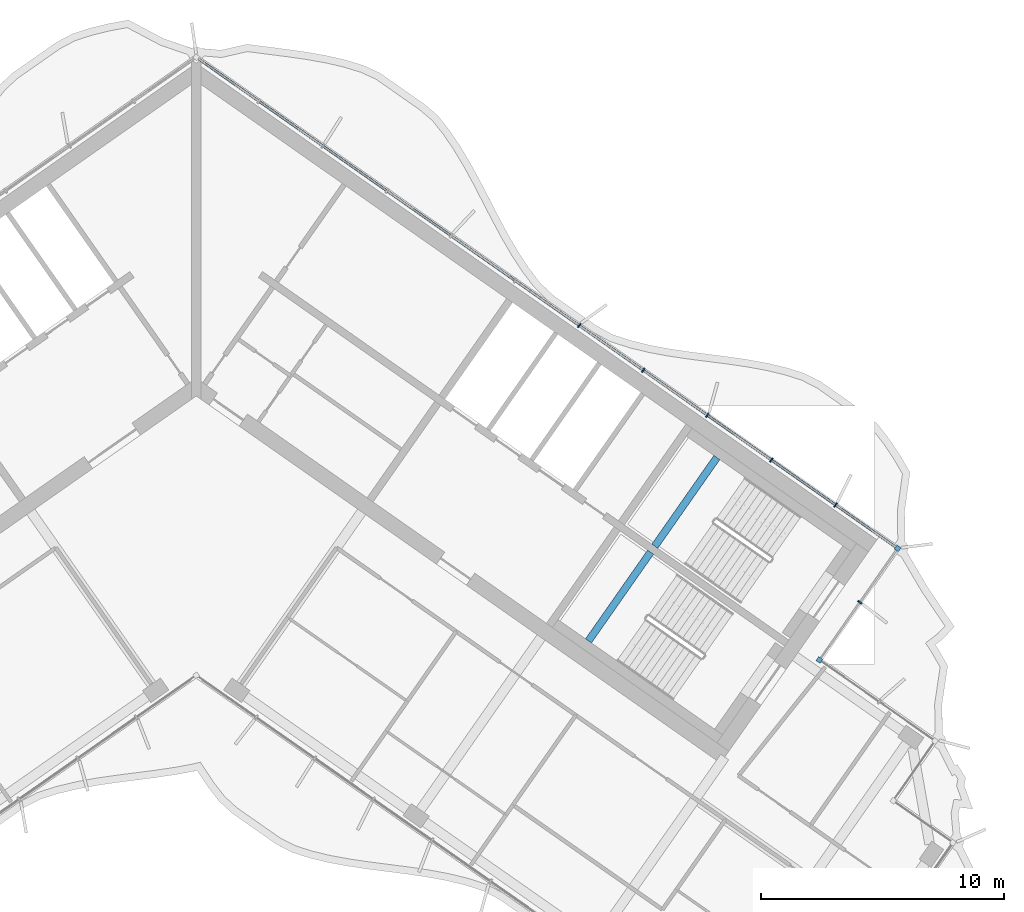
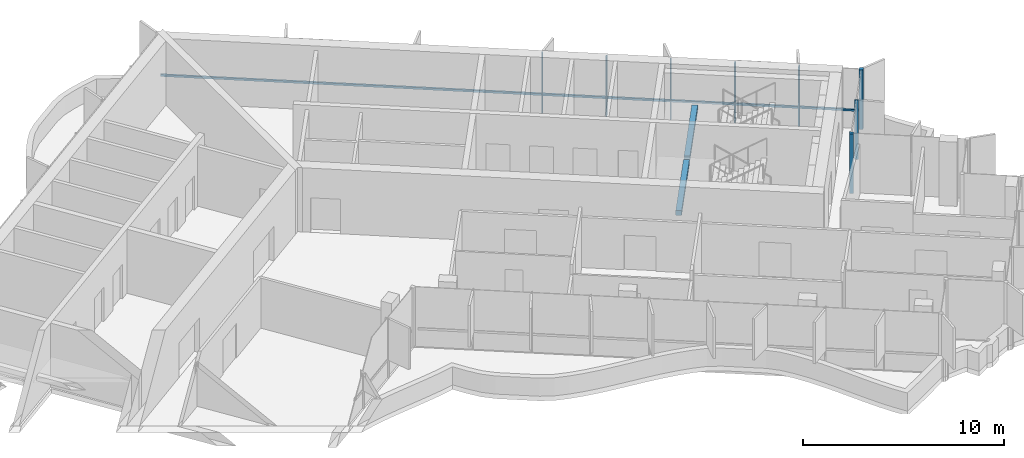
# One storey, part 5 of 18: 9 members, 2 beams, 1 element without a shape of its own.
"""IFC4 building model written with IfcOpenShell, lengths in metres."""

from ifc_helpers import new_model, si_unit, direction, frame, origin, origin_2d, place, context, subcontext, project, spatial, rectangle, extrude, material, material_profile, profile_set, type_object, element, aggregate, save


model = new_model("IFC4")

# Units and contexts
model_context = context("Model", 3, precision=1e-05, world=origin(), true_north=direction((0.0, 1.0)))
body_context = subcontext(model_context, "Body", "Model", "MODEL_VIEW")
ifc_project = project(units=[si_unit("LENGTHUNIT", "METRE"), si_unit("AREAUNIT", "SQUARE_METRE"), si_unit("VOLUMEUNIT", "CUBIC_METRE"), si_unit("PLANEANGLEUNIT", "RADIAN"), si_unit("MASSUNIT", "GRAM", prefix="KILO")], contexts=[model_context])

# Site, building, storey
site_placement = place(None, origin())
site = spatial("IfcSite", under=ifc_project, at=site_placement, CompositionType="ELEMENT")
building_placement = place(site_placement, origin())
building = spatial("IfcBuilding", under=site, at=building_placement, Name="Tel Ilan Convention Tower", CompositionType="ELEMENT")
storey_placement = place(building_placement, frame((0.0, 0.0, 252.699951171875)))
storey = spatial("IfcBuildingStorey", under=building, at=storey_placement, Name="L59", CompositionType="ELEMENT", Elevation=252.699951171875)

# Curtain wall, members
ifc_material_1 = material(Name="Aluminium, bronze anodised", Category="aluminium")
curtain_wall_type = type_object("IfcCurtainWallType", Name="CW2 STICK CURTAIN WALL, SPANDREL PANELS", PredefinedType="NOTDEFINED", material=ifc_material_1)
curtain_wall_placement = place(storey_placement, origin())
curtain_wall = element("IfcCurtainWall", 1, at=curtain_wall_placement, inside=storey, type_object=curtain_wall_type, Name="Curtain wall CW2-46.01", PredefinedType="NOTDEFINED")
ifc_material_2 = material(Name="Aluminium, bronze anodised", Category="aluminium")
ifc_material_profile_1 = material_profile(ifc_material_2, rectangle(XDim=0.199951171875, YDim=0.199951171875, at=origin_2d()), Name="CW CORNER MULLION 200x200")
ifc_profile_set_1 = profile_set([ifc_material_profile_1], Name="Aluminium, bronze anodised")
member_type_1 = type_object("IfcMemberType", Name="CW CORNER MULLION 200x200", PredefinedType="MULLION", material=ifc_profile_set_1)
member_1_placement = place(storey_placement, frame((25.607421875, -12.07080078125, 0.0), z_axis=(0.0, 0.0, 1.0), x_axis=(-0.819152044289, 0.573576436351, 0.0)))
member_1 = element("IfcMember", 2, at=member_1_placement, type_object=member_type_1, Name="Corner mullion", PredefinedType="MULLION", context=body_context, shape_type="SweptSolid", body=[
    extrude(rectangle(XDim=0.199951171875, YDim=0.199951171875, at=origin_2d()), origin(), (0.0, 0.0, 1.0), 3.6201171875),
])
member_2_placement = place(storey_placement, frame((28.819580078125, -7.483642578125, 0.0), z_axis=(0.0, 0.0, 1.0), x_axis=(0.573576436351, 0.819152044289, 0.0)))
member_2 = element("IfcMember", 3, at=member_2_placement, type_object=member_type_1, Name="Corner mullion", PredefinedType="MULLION", context=body_context, shape_type="SweptSolid", body=[
    extrude(rectangle(XDim=0.199951171875, YDim=0.199951171875, at=origin_2d()), origin(), (0.0, 0.0, 1.0), 3.6201171875),
])
ifc_material_3 = material(Name="Aluminium, bronze anodised", Category="aluminium")
ifc_material_profile_2 = material_profile(ifc_material_3, rectangle(XDim=0.06005859375, YDim=0.199951171875, at=origin_2d()), Name="CW MULLION 60x200")
ifc_profile_set_2 = profile_set([ifc_material_profile_2], Name="Aluminium, bronze anodised")
member_type_2 = type_object("IfcMemberType", Name="CW MULLION 60x200", PredefinedType="MULLION", material=ifc_profile_set_2)
member_3_placement = place(storey_placement, frame((27.27099609375, -9.6953125, 0.0), z_axis=(0.0, 0.0, 1.0), x_axis=(0.573576436351, 0.819152044289, 0.0)))
member_3 = element("IfcMember", 4, at=member_3_placement, type_object=member_type_2, Name="Mullion", PredefinedType="MULLION", context=body_context, shape_type="SweptSolid", body=[
    extrude(rectangle(XDim=0.06005859375, YDim=0.199951171875, at=origin_2d()), origin(), (0.0, 0.0, 1.0), 3.6201171875),
])
member_4_placement = place(storey_placement, frame((26.268798828125, -5.697509765625, 0.0), z_axis=(0.0, 0.0, 1.0), x_axis=(-0.819152044289, 0.573576436351, 0.0)))
member_4 = element("IfcMember", 5, at=member_4_placement, type_object=member_type_2, Name="Mullion", PredefinedType="MULLION", context=body_context, shape_type="SweptSolid", body=[
    extrude(rectangle(XDim=0.06005859375, YDim=0.199951171875, at=origin_2d()), origin(), (0.0, 0.0, 1.0), 3.6201171875),
])
member_5_placement = place(storey_placement, frame((23.63623046875, -3.854248046875, 0.0), z_axis=(0.0, 0.0, 1.0), x_axis=(-0.819152044289, 0.573576436351, 0.0)))
member_5 = element("IfcMember", 6, at=member_5_placement, type_object=member_type_2, Name="Mullion", PredefinedType="MULLION", context=body_context, shape_type="SweptSolid", body=[
    extrude(rectangle(XDim=0.06005859375, YDim=0.199951171875, at=origin_2d()), origin(), (0.0, 0.0, 1.0), 3.6201171875),
])
member_6_placement = place(storey_placement, frame((21.003662109375, -2.0107421875, 0.0), z_axis=(0.0, 0.0, 1.0), x_axis=(-0.819152044289, 0.573576436351, 0.0)))
member_6 = element("IfcMember", 7, at=member_6_placement, type_object=member_type_2, Name="Mullion", PredefinedType="MULLION", context=body_context, shape_type="SweptSolid", body=[
    extrude(rectangle(XDim=0.06005859375, YDim=0.199951171875, at=origin_2d()), origin(), (0.0, 0.0, 1.0), 3.6201171875),
])
member_7_placement = place(storey_placement, frame((18.37109375, -0.16748046875, 0.0), z_axis=(0.0, 0.0, 1.0), x_axis=(-0.819152044289, 0.573576436351, 0.0)))
member_7 = element("IfcMember", 8, at=member_7_placement, type_object=member_type_2, Name="Mullion", PredefinedType="MULLION", context=body_context, shape_type="SweptSolid", body=[
    extrude(rectangle(XDim=0.06005859375, YDim=0.199951171875, at=origin_2d()), origin(), (0.0, 0.0, 1.0), 3.6201171875),
])
member_8_placement = place(storey_placement, frame((15.73828125, 1.676025390625, 0.0), z_axis=(0.0, 0.0, 1.0), x_axis=(-0.819152044289, 0.573576436351, 0.0)))
member_8 = element("IfcMember", 9, at=member_8_placement, type_object=member_type_2, Name="Mullion", PredefinedType="MULLION", context=body_context, shape_type="SweptSolid", body=[
    extrude(rectangle(XDim=0.06005859375, YDim=0.199951171875, at=origin_2d()), origin(), (0.0, 0.0, 1.0), 3.6201171875),
])
ifc_material_4 = material(Name="Aluminium, bronze anodised", Category="aluminium")
ifc_material_profile_3 = material_profile(ifc_material_4, rectangle(XDim=0.10009765625, YDim=0.1201171875, at=origin_2d()), Name="CW TRANSOM 100x120")
ifc_profile_set_3 = profile_set([ifc_material_profile_3], Name="Aluminium, bronze anodised")
member_type_3 = type_object("IfcMemberType", Name="CW TRANSOM 100x120", PredefinedType="USERDEFINED", material=ifc_profile_set_3)
member_9_placement = place(storey_placement, frame((28.737548828125, -7.42626953125, 1.10009765625), z_axis=(-0.819150201937, 0.573579067494, 0.0), x_axis=(-0.573579067494, -0.819150201937, 0.0)))
member_9 = element("IfcMember", 10, at=member_9_placement, type_object=member_type_3, Name="Transom", ObjectType="TRANSOM", PredefinedType="USERDEFINED", context=body_context, shape_type="SweptSolid", body=[
    extrude(rectangle(XDim=0.10009765625, YDim=0.1201171875, at=origin_2d()), origin(), (0.0, 0.0, 1.0), 34.9521484375),
])
aggregate(curtain_wall, [member_1, member_3, member_2, member_4, member_5, member_6, member_7, member_8, member_9])

# Beams
ifc_material_5 = material(Name="Concrete C40/50", Category="concrete")
ifc_material_profile_4 = material_profile(ifc_material_5, rectangle(XDim=0.300048828125, YDim=0.300048828125, at=origin_2d()), Name="RC 300x300")
ifc_profile_set_4 = profile_set([ifc_material_profile_4], Name="Concrete C40/50")
beam_type = type_object("IfcBeamType", Name="Landing Beam RC 300x300 Concrete C40/50", PredefinedType="BEAM", material=ifc_profile_set_4)
beam_1_placement = place(storey_placement, frame((21.39404296875, -3.7490234375, 1.60009765625), z_axis=(-0.573547030514, -0.819172633691, 0.0), x_axis=(0.819172633691, -0.573547030514, 0.0)))
element("IfcBeam", 11, at=beam_1_placement, inside=storey, type_object=beam_type, Name="S3 landing beam L59.1", PredefinedType="BEAM", context=body_context, shape_type="SweptSolid", body=[
    extrude(rectangle(XDim=0.300048828125, YDim=0.300048828125, at=origin_2d()), origin(), (0.0, 0.0, 1.0), 4.449951171875),
])
beam_2_placement = place(storey_placement, frame((18.669677734375, -7.64013671875, 1.60009765625), z_axis=(-0.573583844845, -0.819146856756, 0.0), x_axis=(0.819146856756, -0.573583844845, 0.0)))
element("IfcBeam", 12, at=beam_2_placement, inside=storey, type_object=beam_type, Name="S4 landing beam L59.1", PredefinedType="BEAM", context=body_context, shape_type="SweptSolid", body=[
    extrude(rectangle(XDim=0.300048828125, YDim=0.300048828125, at=origin_2d()), origin(), (0.0, 0.0, 1.0), 4.4501953125),
])

save(model, "model.ifc")
